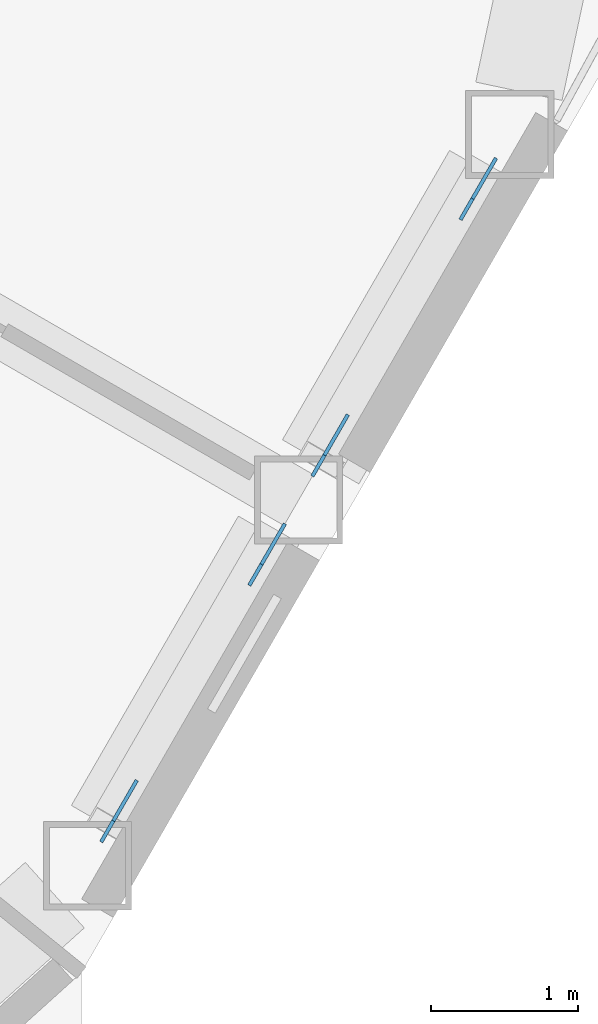
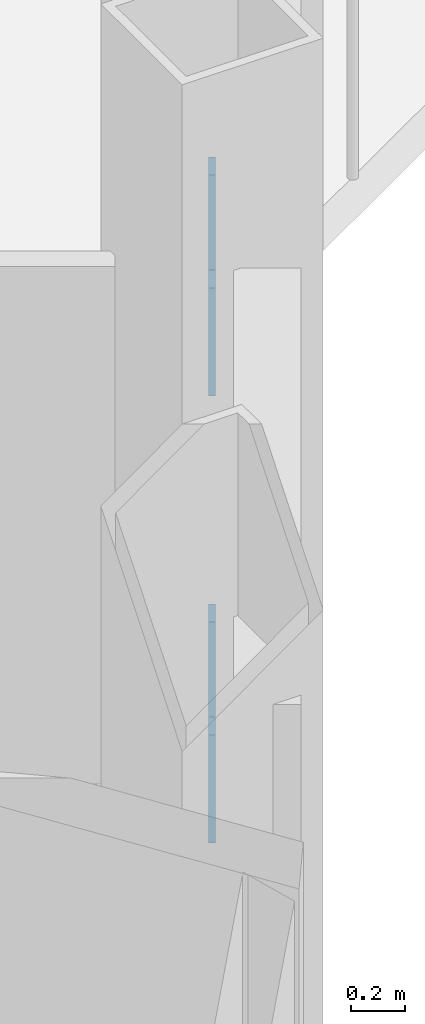
# One storey, part 21 of 28: 4 discrete accessories.
"""IFC4 building model written with IfcOpenShell, lengths in metres."""

import ifcopenshell
import ifcopenshell.guid

model = None  # the IFC model being written
_history = None  # IfcOwnerHistory: only IFC2X3 demands one
_inside = {}  # id of a spatial element -> (the spatial element, [elements in it])
_under = {}  # id of a project, library or spatial element -> (it, [spatial elements below it])
_declared = {}  # id of a project -> (the project, [libraries it declares])
_typed = {}  # id of a type object -> (the type object, [elements of that type])
_made_of = {}  # id of a material, layer set ... -> (it, [elements and type objects made of it])


def new_model(schema):
    """Start an empty IFC model of exactly this schema.

    Asked for "IFC4X3", IfcOpenShell would pick the latest addendum, in which some entities
    have other attributes; the version numbers below select the first issue.
    IFC2X3 requires an IfcOwnerHistory on every rooted entity: one is made here for all.
    """
    global model, _history
    if schema == "IFC4X3":
        model = ifcopenshell.file(schema_version=(4, 3, 0, 0))
    else:
        model = ifcopenshell.file(schema=schema)
    _inside.clear()
    _under.clear()
    _declared.clear()
    _typed.clear()
    _made_of.clear()
    _history = None
    if model.schema == "IFC2X3":
        org = make("IfcOrganization", Name="unknown")
        user = make(
            "IfcPersonAndOrganization",
            ThePerson=make("IfcPerson", FamilyName="unknown"),
            TheOrganization=org,
        )
        app = make(
            "IfcApplication",
            ApplicationDeveloper=org,
            Version="unknown",
            ApplicationFullName="unknown",
            ApplicationIdentifier="unknown",
        )
        _history = make(
            "IfcOwnerHistory",
            OwningUser=user,
            OwningApplication=app,
            ChangeAction="ADDED",
            CreationDate=0,
        )
    return model


def make(cls, **values):
    """One entity of the class cls with the attributes given. An attribute that is None is left unset."""
    return model.create_entity(
        cls, **{name: value for name, value in values.items() if value is not None}
    )


def rooted(cls, **values):
    """An entity with a GlobalId (a new one), such as an element, a storey or a relation."""
    return make(cls, GlobalId=ifcopenshell.guid.new(), OwnerHistory=_history, **values)


def si_unit(unit_type, name, prefix=None):
    """IfcSIUnit, for example si_unit("LENGTHUNIT", "METRE", prefix="MILLI")."""
    return make("IfcSIUnit", UnitType=unit_type, Prefix=prefix, Name=name)


def assignment(units):
    """IfcUnitAssignment: the units of a project."""
    return None if units is None else make("IfcUnitAssignment", Units=units)


def point(xyz):
    """IfcCartesianPoint."""
    return None if xyz is None else make("IfcCartesianPoint", Coordinates=xyz)


def direction(xyz):
    """IfcDirection."""
    return None if xyz is None else make("IfcDirection", DirectionRatios=xyz)


def frame(location, z_axis=None, x_axis=None):
    """IfcAxis2Placement3D, a coordinate frame: its origin and axes. An axis left out is left unset."""
    return make(
        "IfcAxis2Placement3D",
        Location=point(location),
        Axis=direction(z_axis),
        RefDirection=direction(x_axis),
    )


def frame_2d(location, x_axis=None):
    """IfcAxis2Placement2D, a coordinate frame in the plane: its origin and x axis."""
    return make(
        "IfcAxis2Placement2D", Location=point(location), RefDirection=direction(x_axis)
    )


def origin():
    """The frame at (0, 0, 0) with its axes left unset."""
    return frame((0.0, 0.0, 0.0))


def origin_2d():
    """The frame at (0, 0) in the plane with its x axis left unset."""
    return frame_2d((0.0, 0.0))


def place(relative_to, where):
    """IfcLocalPlacement: puts the frame where relative to a parent placement (None: the world)."""
    return make(
        "IfcLocalPlacement", PlacementRelTo=relative_to, RelativePlacement=where
    )


def context(
    kind, dimensions, precision=None, world=None, true_north=None, identifier=None
):
    """IfcGeometricRepresentationContext, for example the 3D "Model" context."""
    return make(
        "IfcGeometricRepresentationContext",
        ContextIdentifier=identifier,
        ContextType=kind,
        CoordinateSpaceDimension=dimensions,
        Precision=precision,
        WorldCoordinateSystem=world,
        TrueNorth=true_north,
    )


def subcontext(parent, identifier, kind, view, scale=None):
    """IfcGeometricRepresentationSubContext, for example "Body" below "Model"."""
    return make(
        "IfcGeometricRepresentationSubContext",
        ContextIdentifier=identifier,
        ContextType=kind,
        ParentContext=parent,
        TargetScale=scale,
        TargetView=view,
    )


def project(units=None, contexts=None):
    """IfcProject with its units and contexts."""
    return rooted(
        "IfcProject",
        Name="project",
        RepresentationContexts=contexts,
        UnitsInContext=assignment(units),
    )


def spatial(cls, under=None, at=None, **own):
    """A site, building, storey or space (cls), placed at a placement, below another one or the project."""
    s = rooted(cls, ObjectPlacement=at, **own)
    if under is not None:
        _under.setdefault(under.id(), (under, []))[1].append(s)
    return s


def profile(cls, at=None, kind="AREA", **sizes):
    """A parametric profile (cls). Its sizes go by their IFC names, for example OverallWidth=200.0."""
    return make(cls, ProfileType=kind, Position=at, **sizes)


def rectangle(**sizes):
    """IfcRectangleProfileDef."""
    return profile("IfcRectangleProfileDef", **sizes)


def extrude(swept, where, along, depth):
    """IfcExtrudedAreaSolid: the profile swept, set in the frame where, extruded along a direction by depth."""
    return make(
        "IfcExtrudedAreaSolid",
        SweptArea=swept,
        Position=where,
        ExtrudedDirection=direction(along),
        Depth=depth,
    )


def shape(context_of_items, identifier, shape_type, items):
    """IfcShapeRepresentation: the items that make up one representation, for example the "Body"."""
    return make(
        "IfcShapeRepresentation",
        ContextOfItems=context_of_items,
        RepresentationIdentifier=identifier,
        RepresentationType=shape_type,
        Items=items,
    )


def material(Name=None, Category=None):
    """IfcMaterial."""
    return make("IfcMaterial", Name=Name, Category=Category)


def material_profile(
    of_material, cross_section, Name=None, Category=None, Priority=None
):
    """IfcMaterialProfile: a cross section and its material."""
    return make(
        "IfcMaterialProfile",
        Name=Name,
        Material=of_material,
        Profile=cross_section,
        Priority=Priority,
        Category=Category,
    )


def profile_set(profiles, Name=None, composite=None):
    """IfcMaterialProfileSet."""
    return make(
        "IfcMaterialProfileSet",
        Name=Name,
        MaterialProfiles=profiles,
        CompositeProfile=composite,
    )


def made_of(thing, what):
    """Note that an element or type object is made of a material, layer set ...; save() writes the relation."""
    if what is not None:
        _made_of.setdefault(what.id(), (what, []))[1].append(thing)
    return thing


def type_object(cls, material=None, **own):
    """A type object (cls), such as IfcWallType, which elements share."""
    return made_of(rooted(cls, **own), material)


def element(
    cls,
    number,
    at=None,
    inside=None,
    cuts=None,
    type_object=None,
    material=None,
    context=None,
    identifier="Body",
    shape_type=None,
    held_by="IfcProductDefinitionShape",
    body=None,
    shapes=None,
    **own,
):
    """One element of the class cls, such as IfcWall. Its Tag is "e" and its number.

    at: its placement. inside: the storey or other place that contains it. cuts: it is an
    opening in that element (IfcRelVoidsElement). A single representation is given by context,
    identifier, shape_type and body (its items); several are given by shapes. held_by: the class
    of the entity that holds the representations. save() writes the other relations.
    """
    e = rooted(cls, Tag="e%d" % number, ObjectPlacement=at, **own)
    if body is not None:
        shapes = [shape(context, identifier, shape_type, body)]
    if shapes is not None:
        e.Representation = make(held_by, Representations=shapes)
    if inside is not None:
        _inside.setdefault(inside.id(), (inside, []))[1].append(e)
    if cuts is not None:
        rooted(
            "IfcRelVoidsElement", RelatingBuildingElement=cuts, RelatedOpeningElement=e
        )
    if type_object is not None:
        _typed.setdefault(type_object.id(), (type_object, []))[1].append(e)
    return made_of(e, material)


def aggregate(whole, parts):
    """IfcRelAggregates: a whole, such as a stair, and the parts it consists of."""
    return rooted("IfcRelAggregates", RelatingObject=whole, RelatedObjects=parts)


def save(model, path):
    """Write the relations noted so far, then the file.

    IfcRelAggregates (storeys below a building ...), IfcRelContainedInSpatialStructure (elements
    in a storey), IfcRelDefinesByType, IfcRelAssociatesMaterial and IfcRelDeclares: one each for
    every whole, place, type object, material and project.
    """
    for whole, parts in _under.values():
        aggregate(whole, parts)
    for where, things in _inside.values():
        rooted(
            "IfcRelContainedInSpatialStructure",
            RelatedElements=things,
            RelatingStructure=where,
        )
    for kind, things in _typed.values():
        rooted("IfcRelDefinesByType", RelatedObjects=things, RelatingType=kind)
    for what, things in _made_of.values():
        rooted("IfcRelAssociatesMaterial", RelatedObjects=things, RelatingMaterial=what)
    for by, libraries in _declared.values():
        rooted("IfcRelDeclares", RelatingContext=by, RelatedDefinitions=libraries)
    model.write(path)


model = new_model("IFC4")

# Units and contexts
model_context = context("Model", 3, precision=1e-05, world=origin(), true_north=direction((0.0, 1.0)))
body_context = subcontext(model_context, "Body", "Model", "MODEL_VIEW")
ifc_project = project(units=[si_unit("LENGTHUNIT", "METRE"), si_unit("AREAUNIT", "SQUARE_METRE"), si_unit("VOLUMEUNIT", "CUBIC_METRE"), si_unit("PLANEANGLEUNIT", "RADIAN"), si_unit("MASSUNIT", "GRAM", prefix="KILO")], contexts=[model_context])

# Site, building, storey
site_placement = place(None, origin())
site = spatial("IfcSite", under=ifc_project, at=site_placement, CompositionType="ELEMENT")
building_placement = place(site_placement, origin())
building = spatial("IfcBuilding", under=site, at=building_placement, Name="Cormorant Prow Tower", CompositionType="ELEMENT")
storey_placement = place(building_placement, frame((0.0, 0.0, 301.800048828125)))
storey = spatial("IfcBuildingStorey", under=building, at=storey_placement, Name="L65", CompositionType="ELEMENT", Elevation=301.800048828125)

# Discrete accessories
ifc_material = material(Name="Structural steel ASTM A500 Gr C", Category="steel")
ifc_material_profile = material_profile(ifc_material, rectangle(XDim=0.02490234375, YDim=0.405029296875, at=origin_2d()), Name="Gusset plate 25x405")
ifc_profile_set = profile_set([ifc_material_profile], Name="Structural steel ASTM A500 Gr C")
discrete_accessory_type = type_object("IfcDiscreteAccessoryType", Name="Gusset plate 25x405", PredefinedType="BRACKET", material=ifc_profile_set)
discrete_accessory_1_placement = place(storey_placement, frame((27.137939453125, -16.34765625, 0.86376953125), z_axis=(0.45649114423, 0.790134518758, -0.409027233209), x_axis=(-0.865879799044, 0.500252110048, 0.0)))
element("IfcDiscreteAccessory", 1, at=discrete_accessory_1_placement, inside=storey, type_object=discrete_accessory_type, Name="Gusset plate GP3 L65.ESE00.g0", PredefinedType="BRACKET", context=body_context, shape_type="SweptSolid", body=[
    extrude(rectangle(XDim=0.02490234375, YDim=0.405029296875, at=origin_2d()), origin(), (0.0, 0.0, 1.0), 0.349853515625),
])
discrete_accessory_2_placement = place(storey_placement, frame((26.289794921875, -17.817138671875, 1.6240234375), z_axis=(-0.456791619277, -0.790144892581, 0.408671586101), x_axis=(0.865740004385, -0.50049400077, 0.0)))
element("IfcDiscreteAccessory", 2, at=discrete_accessory_2_placement, inside=storey, type_object=discrete_accessory_type, Name="Gusset plate GP3 L65.ESE00.g1", PredefinedType="BRACKET", context=body_context, shape_type="SweptSolid", body=[
    extrude(rectangle(XDim=0.02490234375, YDim=0.405029296875, at=origin_2d()), origin(), (0.0, 0.0, 1.0), 0.35009765625),
])
for number, where, z_axis, x_axis, name in (
    (3, (28.574951171875, -13.85888671875, 0.86376953125), (0.456239480558, 0.790396531303, -0.408801736402), (-0.866071029786, 0.499920965119, 0.0), "Gusset plate GP3 L65.ESE01.g0"),
    (4, (27.7265625, -15.328369140625, 1.6240234375), (-0.456239480558, -0.790396531303, 0.408801736402), (0.866071029786, -0.499920965119, 0.0), "Gusset plate GP3 L65.ESE01.g1"),
):
    element("IfcDiscreteAccessory", number, at=place(storey_placement, frame(where, z_axis=z_axis, x_axis=x_axis)), inside=storey, type_object=discrete_accessory_type, Name=name, PredefinedType="BRACKET", context=body_context, shape_type="SweptSolid", body=[
        extrude(rectangle(XDim=0.02490234375, YDim=0.405029296875, at=origin_2d()), origin(), (0.0, 0.0, 1.0), 0.349853515625),
    ])

save(model, "model.ifc")
